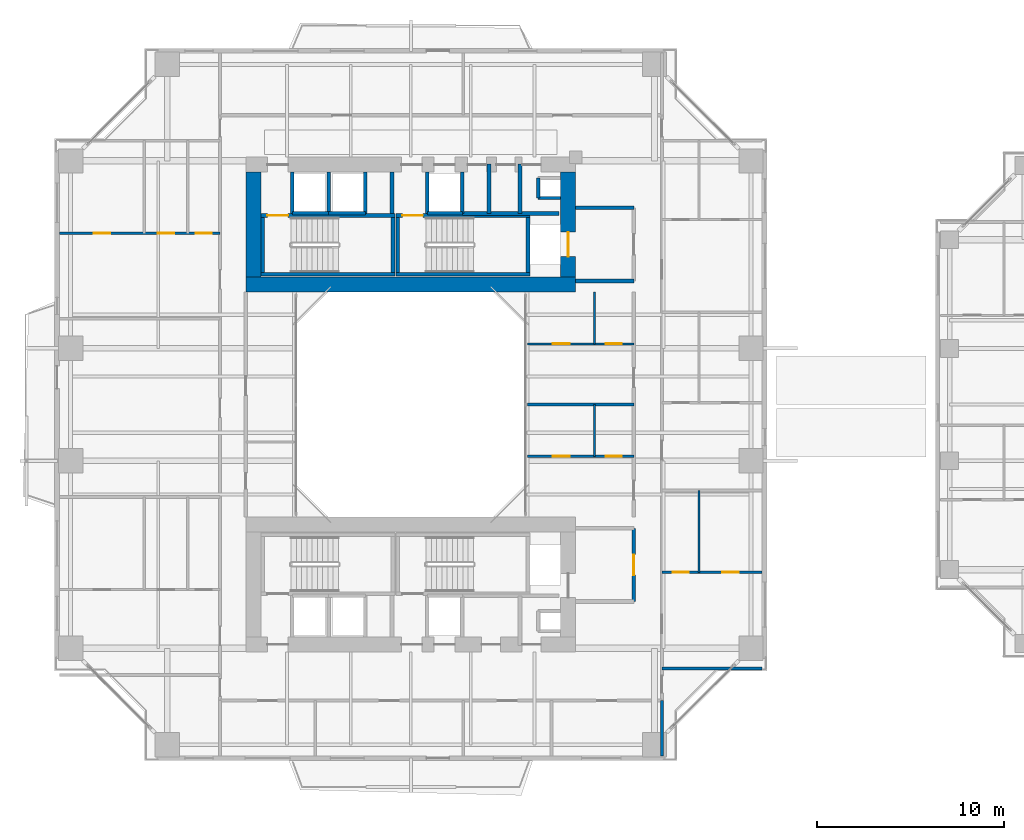
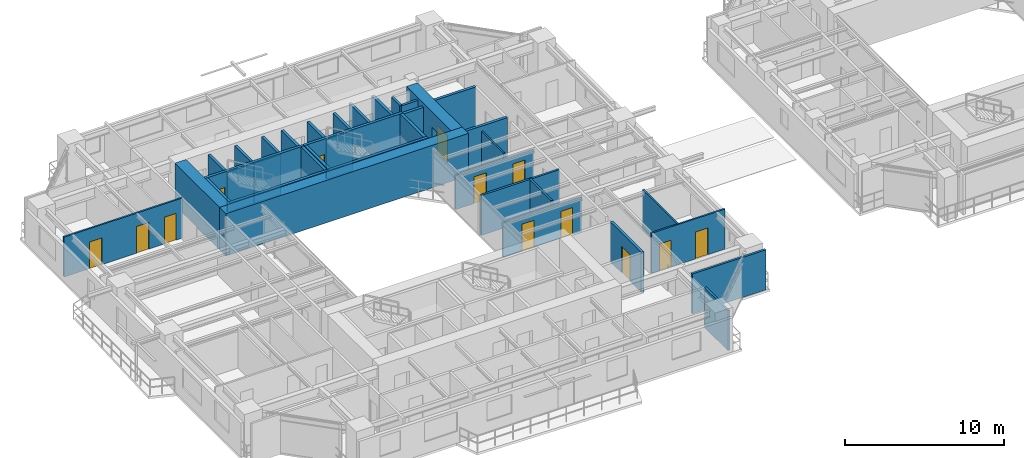
# One storey, part 13 of 23: 38 walls, 13 doors, 13 openings.
"""IFC4 building model written with IfcOpenShell, lengths in metres."""

from ifc_helpers import new_model, si_unit, direction, frame, frame_2d, origin, place, context, subcontext, project, spatial, rectangle, extrude, source, transform, mapped, material, layer, layer_set, type_object, element, fill, save


model = new_model("IFC4")

# Units and contexts
model_context = context("Model", 3, precision=1e-05, world=origin(), true_north=direction((0.0, 1.0)))
body_context = subcontext(model_context, "Body", "Model", "MODEL_VIEW")
ifc_project = project(units=[si_unit("LENGTHUNIT", "METRE"), si_unit("AREAUNIT", "SQUARE_METRE"), si_unit("VOLUMEUNIT", "CUBIC_METRE"), si_unit("PLANEANGLEUNIT", "RADIAN"), si_unit("MASSUNIT", "GRAM", prefix="KILO"), si_unit("THERMODYNAMICTEMPERATUREUNIT", "KELVIN"), si_unit("POWERUNIT", "WATT")], contexts=[model_context])

# Site, building, storey
site_placement = place(None, origin())
site = spatial("IfcSite", under=ifc_project, at=site_placement, CompositionType="ELEMENT")
building_placement = place(site_placement, origin())
building = spatial("IfcBuilding", under=site, at=building_placement, Name="Qiaomeng Ring Towers", CompositionType="ELEMENT")
storey_placement = place(building_placement, frame((0.0, 0.0, 50.25)))
storey = spatial("IfcBuildingStorey", under=building, at=storey_placement, Name="L13", CompositionType="ELEMENT", Elevation=50.25)

# Walls
ifc_material_1 = material(Name="Autoclaved aerated concrete block", Category="concrete")
ifc_layer_1 = layer(ifc_material_1, 0.199951171875, Name="Autoclaved aerated concrete block")
ifc_layer_set_1 = layer_set([ifc_layer_1], Name="Autoclaved aerated concrete block")
wall_type_1 = type_object("IfcWallType", Name="ARC-WL-PW1", PredefinedType="PARTITIONING", material=ifc_layer_set_1)
for number, where, z_axis, x_axis, name in (
    (1, (27.800048828125, 29.60009765625, 0.0), (0.0, 0.0, 1.0), (1.0, 0.0, 0.0), "L13 Interior Wall PW1"),
    (2, (27.800048828125, 33.5, 0.0), (0.0, 0.0, 1.0), (1.0, 0.0, 0.0), "L13 Interior Wall PW1"),
):
    element("IfcWall", number, at=place(storey_placement, frame(where, z_axis=z_axis, x_axis=x_axis)), inside=storey, type_object=wall_type_1, Name=name, PredefinedType="PARTITIONING", context=body_context, shape_type="SweptSolid", body=[
        extrude(rectangle(XDim=3.099853515625, YDim=0.199951171875, at=frame_2d((1.5498046875, 0.0))), origin(), (0.0, 0.0, 1.0), 3.070068359375),
    ])

# Wall, opening, door
wall_1_placement = place(storey_placement, frame((30.89990234375, 12.5, 0.0), z_axis=(0.0, 0.0, 1.0), x_axis=(0.0, 1.0, 0.0)))
wall_1 = element("IfcWall", 3, at=wall_1_placement, inside=storey, type_object=wall_type_1, Name="L13 Interior Wall PW1", PredefinedType="PARTITIONING", context=body_context, shape_type="SweptSolid", body=[
    extrude(rectangle(XDim=3.89990234375, YDim=0.199951171875, at=frame_2d((1.949951171875, 0.0))), origin(), (0.0, 0.0, 1.0), 3.070068359375),
])
opening_1_placement = place(wall_1_placement, frame((1.39990234375, 0.0, 0.0)))
opening_1 = element("IfcOpeningElement", 4, at=opening_1_placement, cuts=wall_1, Name="Opening FD3", PredefinedType="OPENING", context=body_context, shape_type="SweptSolid", body=[
    extrude(rectangle(XDim=1.10009765625, YDim=2.050048828125, at=frame_2d((0.550048828125, 1.02490234375))), frame((0.0, 0.10986328125, 0.0), z_axis=(0.0, -1.0, 0.0), x_axis=(1.0, 0.0, 0.0)), (0.0, 0.0, 1.0), 0.219970703125),
])
ifc_material_2 = material(Name="Galvanised steel", Category="steel")
door_type_1 = type_object("IfcDoorType", Name="ARC-DR-FD3", OperationType="NOTDEFINED", PredefinedType="DOOR", material=ifc_material_2)
shared_shape_1 = source(origin(), body_context, "Body", "SweptSolid", [
    extrude(rectangle(XDim=1.10009765625, YDim=2.050048828125, at=frame_2d((0.550048828125, 1.02490234375))), frame((0.0, 0.02490234375, 0.0), z_axis=(0.0, -1.0, 0.0), x_axis=(1.0, 0.0, 0.0)), (0.0, 0.0, 1.0), 0.050048828125),
])
door_1_placement = place(opening_1_placement, origin())
door_1 = element("IfcDoor", 5, at=door_1_placement, inside=storey, type_object=door_type_1, Name="L13 South FF Lobby Door", OperationType="SINGLE_SWING_LEFT", OverallHeight=2.050048828125, OverallWidth=1.10009765625, PredefinedType="DOOR", context=body_context, shape_type="MappedRepresentation", body=[
    mapped(shared_shape_1, transform((0.0, 0.0, 0.0), x_axis=(1.0, 0.0, 0.0), y_axis=(0.0, 1.0, 0.0), z_axis=(0.0, 0.0, 1.0), scale=1.0)),
])
fill(opening_1, door_1)

# Walls
for number, where, z_axis, x_axis, name in (
    (6, (12.679931640625, 33.18994140625, 0.0), (0.0, 0.0, 1.0), (0.0, 1.0, 0.0), "L13 Interior Wall PW1"),
    (7, (18.0, 33.18994140625, 0.0), (0.0, 0.0, 1.0), (0.0, 1.0, 0.0), "L13 Interior Wall PW1"),
    (8, (19.8798828125, 33.18994140625, 0.0), (0.0, 0.0, 1.0), (0.0, 1.0, 0.0), "L13 Interior Wall PW1"),
):
    element("IfcWall", number, at=place(storey_placement, frame(where, z_axis=z_axis, x_axis=x_axis)), inside=storey, type_object=wall_type_1, Name=name, PredefinedType="PARTITIONING", context=body_context, shape_type="SweptSolid", body=[
        extrude(rectangle(XDim=2.2099609375, YDim=0.199951171875, at=frame_2d((1.10498046875, 0.0))), origin(), (0.0, 0.0, 1.0), 3.070068359375),
    ])
wall_2_placement = place(storey_placement, frame((24.820068359375, 33.199951171875, 0.0), z_axis=(0.0, 0.0, 1.0), x_axis=(0.0, 1.0, 0.0)))
element("IfcWall", 9, at=wall_2_placement, inside=storey, type_object=wall_type_1, Name="L13 Interior Wall PW1", PredefinedType="PARTITIONING", context=body_context, shape_type="SweptSolid", body=[
    extrude(rectangle(XDim=2.650146484375, YDim=0.199951171875, at=frame_2d((1.3251953125, 0.0))), origin(), (0.0, 0.0, 1.0), 3.070068359375),
])
wall_3_placement = place(storey_placement, frame((21.75, 33.199951171875, 0.0), z_axis=(0.0, 0.0, 1.0), x_axis=(0.0, 1.0, 0.0)))
element("IfcWall", 10, at=wall_3_placement, inside=storey, type_object=wall_type_1, Name="L13 Interior Wall PW1", PredefinedType="PARTITIONING", context=body_context, shape_type="SweptSolid", body=[
    extrude(rectangle(XDim=2.199951171875, YDim=0.199951171875, at=frame_2d((1.10009765625, 0.0))), origin(), (0.0, 0.0, 1.0), 3.070068359375),
])
wall_4_placement = place(storey_placement, frame((23.169921875, 33.199951171875, 0.0), z_axis=(0.0, 0.0, 1.0), x_axis=(0.0, 1.0, 0.0)))
element("IfcWall", 11, at=wall_4_placement, inside=storey, type_object=wall_type_1, Name="L13 Interior Wall PW1", PredefinedType="PARTITIONING", context=body_context, shape_type="SweptSolid", body=[
    extrude(rectangle(XDim=2.650146484375, YDim=0.199951171875, at=frame_2d((1.3251953125, 0.0))), origin(), (0.0, 0.0, 1.0), 3.070068359375),
])
wall_5_placement = place(storey_placement, frame((21.75, 33.199951171875, 0.0), z_axis=(0.0, 0.0, 1.0), x_axis=(1.0, 0.0, 0.0)))
element("IfcWall", 12, at=wall_5_placement, inside=storey, type_object=wall_type_1, Name="L13 Interior Wall PW1", PredefinedType="PARTITIONING", context=body_context, shape_type="SweptSolid", body=[
    extrude(rectangle(XDim=5.169921875, YDim=0.199951171875, at=frame_2d((2.5849609375, 0.0))), origin(), (0.0, 0.0, 1.0), 3.070068359375),
])
ifc_material_3 = material(Name="Gypsum fireboard steel-stud partition", Category="steel")
ifc_layer_2 = layer(ifc_material_3, 0.14990234375, Name="Gypsum fireboard steel-stud partition")
ifc_layer_set_2 = layer_set([ifc_layer_2], Name="Gypsum fireboard steel-stud partition")
wall_type_2 = type_object("IfcWallType", Name="ARC-WL-PW3", PredefinedType="PARTITIONING", material=ifc_layer_set_2)
wall_6_placement = place(storey_placement, frame((32.39990234375, 4.25, 0.0), z_axis=(0.0, 0.0, 1.0), x_axis=(0.0, 1.0, 0.0)))
element("IfcWall", 13, at=wall_6_placement, inside=storey, type_object=wall_type_2, Name="L13 Interior Wall PW3", PredefinedType="PARTITIONING", context=body_context, shape_type="SweptSolid", body=[
    extrude(rectangle(XDim=2.9599609375, YDim=0.14990234375, at=frame_2d((1.47998046875, 0.0))), origin(), (0.0, 0.0, 1.0), 3.070068359375),
])
wall_7_placement = place(storey_placement, frame((32.39990234375, 8.919921875, 0.0), z_axis=(0.0, 0.0, 1.0), x_axis=(1.0, 0.0, 0.0)))
element("IfcWall", 14, at=wall_7_placement, inside=storey, type_object=wall_type_2, Name="L13 Interior Wall PW3", PredefinedType="PARTITIONING", context=body_context, shape_type="SweptSolid", body=[
    extrude(rectangle(XDim=5.35009765625, YDim=0.14990234375, at=frame_2d((2.675048828125, 0.0))), origin(), (0.0, 0.0, 1.0), 3.070068359375),
])
wall_8_placement = place(storey_placement, frame((25.219970703125, 23.0, 0.0), z_axis=(0.0, 0.0, 1.0), x_axis=(1.0, 0.0, 0.0)))
element("IfcWall", 15, at=wall_8_placement, inside=storey, type_object=wall_type_2, Name="L13 Interior Wall PW3", PredefinedType="PARTITIONING", context=body_context, shape_type="SweptSolid", body=[
    extrude(rectangle(XDim=5.679931640625, YDim=0.14990234375, at=frame_2d((2.83984375, 0.0))), origin(), (0.0, 0.0, 1.0), 3.070068359375),
])

# Wall, openings, doors
ifc_material_4 = material(Name="Moisture-resistant gypsum steel-stud partition", Category="steel")
ifc_layer_3 = layer(ifc_material_4, 0.1201171875, Name="Moisture-resistant gypsum steel-stud partition")
ifc_layer_set_3 = layer_set([ifc_layer_3], Name="Moisture-resistant gypsum steel-stud partition")
wall_type_3 = type_object("IfcWallType", Name="ARC-WL-PW4", PredefinedType="PLUMBINGWALL", material=ifc_layer_set_3)
wall_9_placement = place(storey_placement, frame((0.25, 32.139892578125, 0.0), z_axis=(0.0, 0.0, 1.0), x_axis=(1.0, 0.0, 0.0)))
wall_9 = element("IfcWall", 16, at=wall_9_placement, inside=storey, type_object=wall_type_3, Name="L13 Interior Wall PW4", PredefinedType="PLUMBINGWALL", context=body_context, shape_type="SweptSolid", body=[
    extrude(rectangle(XDim=8.570068359375, YDim=0.1201171875, at=frame_2d((4.28515625, 0.0))), origin(), (0.0, 0.0, 1.0), 3.070068359375),
])
opening_2_placement = place(wall_9_placement, frame((1.824951171875, 0.0, 0.0)))
opening_2 = element("IfcOpeningElement", 17, at=opening_2_placement, cuts=wall_9, Name="Opening ID1", PredefinedType="OPENING", context=body_context, shape_type="SweptSolid", body=[
    extrude(rectangle(XDim=0.89990234375, YDim=2.050048828125, at=frame_2d((0.449951171875, 1.02490234375))), frame((0.0, 0.070068359375, 0.0), z_axis=(0.0, -1.0, 0.0), x_axis=(1.0, 0.0, 0.0)), (0.0, 0.0, 1.0), 0.14013671875),
])
opening_3_placement = place(wall_9_placement, frame((5.239990234375, 0.0, 0.0)))
opening_3 = element("IfcOpeningElement", 18, at=opening_3_placement, cuts=wall_9, Name="Opening ID1", PredefinedType="OPENING", context=body_context, shape_type="SweptSolid", body=[
    extrude(rectangle(XDim=0.89990234375, YDim=2.050048828125, at=frame_2d((0.449951171875, 1.02490234375))), frame((0.0, 0.070068359375, 0.0), z_axis=(0.0, -1.0, 0.0), x_axis=(1.0, 0.0, 0.0)), (0.0, 0.0, 1.0), 0.14013671875),
])
opening_4_placement = place(wall_9_placement, frame((7.27490234375, 0.0, 0.0)))
opening_4 = element("IfcOpeningElement", 19, at=opening_4_placement, cuts=wall_9, Name="Opening ID2", PredefinedType="OPENING", context=body_context, shape_type="SweptSolid", body=[
    extrude(rectangle(XDim=0.85009765625, YDim=2.050048828125, at=frame_2d((0.425048828125, 1.02490234375))), frame((0.0, 0.070068359375, 0.0), z_axis=(0.0, -1.0, 0.0), x_axis=(1.0, 0.0, 0.0)), (0.0, 0.0, 1.0), 0.14013671875),
])
ifc_material_5 = material(Name="Moisture-resistant engineered timber", Category="wood")
door_type_2 = type_object("IfcDoorType", Name="ARC-DR-ID2", OperationType="NOTDEFINED", PredefinedType="DOOR", material=ifc_material_5)
shared_shape_2 = source(origin(), body_context, "Body", "SweptSolid", [
    extrude(rectangle(XDim=0.85009765625, YDim=2.050048828125, at=frame_2d((0.425048828125, 1.02490234375))), frame((0.0, 0.02490234375, 0.0), z_axis=(0.0, -1.0, 0.0), x_axis=(1.0, 0.0, 0.0)), (0.0, 0.0, 1.0), 0.050048828125),
])
door_2_placement = place(opening_4_placement, origin())
door_2 = element("IfcDoor", 20, at=door_2_placement, inside=storey, type_object=door_type_2, Name="L13 Door ID2", OperationType="SINGLE_SWING_RIGHT", OverallHeight=2.050048828125, OverallWidth=0.85009765625, PredefinedType="DOOR", context=body_context, shape_type="MappedRepresentation", body=[
    mapped(shared_shape_2, transform((0.0, 0.0, 0.0), x_axis=(1.0, 0.0, 0.0), y_axis=(0.0, 1.0, 0.0), z_axis=(0.0, 0.0, 1.0), scale=1.0)),
])
fill(opening_4, door_2)
ifc_material_6 = material(Name="Engineered oak timber", Category="wood")
door_type_3 = type_object("IfcDoorType", Name="ARC-DR-ID1", OperationType="NOTDEFINED", PredefinedType="DOOR", material=ifc_material_6)
shared_shape_3 = source(origin(), body_context, "Body", "SweptSolid", [
    extrude(rectangle(XDim=0.89990234375, YDim=2.050048828125, at=frame_2d((0.449951171875, 1.02490234375))), frame((0.0, 0.02490234375, 0.0), z_axis=(0.0, -1.0, 0.0), x_axis=(1.0, 0.0, 0.0)), (0.0, 0.0, 1.0), 0.050048828125),
])
door_3_placement = place(opening_2_placement, origin())
door_3 = element("IfcDoor", 21, at=door_3_placement, inside=storey, type_object=door_type_3, Name="L13 Door ID1", OperationType="SINGLE_SWING_RIGHT", OverallHeight=2.050048828125, OverallWidth=0.89990234375, PredefinedType="DOOR", context=body_context, shape_type="MappedRepresentation", body=[
    mapped(shared_shape_3, transform((0.0, 0.0, 0.0), x_axis=(1.0, 0.0, 0.0), y_axis=(0.0, 1.0, 0.0), z_axis=(0.0, 0.0, 1.0), scale=1.0)),
])
fill(opening_2, door_3)
door_4_placement = place(opening_3_placement, origin())
door_4 = element("IfcDoor", 22, at=door_4_placement, inside=storey, type_object=door_type_3, Name="L13 Door ID1", OperationType="SINGLE_SWING_LEFT", OverallHeight=2.050048828125, OverallWidth=0.89990234375, PredefinedType="DOOR", context=body_context, shape_type="MappedRepresentation", body=[
    mapped(shared_shape_3, transform((0.0, 0.0, 0.0), x_axis=(1.0, 0.0, 0.0), y_axis=(0.0, 1.0, 0.0), z_axis=(0.0, 0.0, 1.0), scale=1.0)),
])
fill(opening_3, door_4)

wall_10_placement = place(storey_placement, frame((32.39990234375, 14.050048828125, 0.0), z_axis=(0.0, 0.0, 1.0), x_axis=(1.0, 0.0, 0.0)))
wall_10 = element("IfcWall", 23, at=wall_10_placement, inside=storey, type_object=wall_type_3, Name="L13 Interior Wall PW4", PredefinedType="PLUMBINGWALL", context=body_context, shape_type="SweptSolid", body=[
    extrude(rectangle(XDim=5.35009765625, YDim=0.1201171875, at=frame_2d((2.675048828125, 0.0))), origin(), (0.0, 0.0, 1.0), 3.070068359375),
])
opening_5_placement = place(wall_10_placement, frame((0.574951171875, 0.0, 0.0)))
opening_5 = element("IfcOpeningElement", 24, at=opening_5_placement, cuts=wall_10, Name="Opening ID2", PredefinedType="OPENING", context=body_context, shape_type="SweptSolid", body=[
    extrude(rectangle(XDim=0.85009765625, YDim=2.050048828125, at=frame_2d((0.425048828125, 1.02490234375))), frame((0.0, 0.070068359375, 0.0), z_axis=(0.0, -1.0, 0.0), x_axis=(1.0, 0.0, 0.0)), (0.0, 0.0, 1.0), 0.14013671875),
])
opening_6_placement = place(wall_10_placement, frame((3.205078125, 0.0, 0.0)))
opening_6 = element("IfcOpeningElement", 25, at=opening_6_placement, cuts=wall_10, Name="Opening ID1", PredefinedType="OPENING", context=body_context, shape_type="SweptSolid", body=[
    extrude(rectangle(XDim=0.89990234375, YDim=2.050048828125, at=frame_2d((0.449951171875, 1.02490234375))), frame((0.0, 0.070068359375, 0.0), z_axis=(0.0, -1.0, 0.0), x_axis=(1.0, 0.0, 0.0)), (0.0, 0.0, 1.0), 0.14013671875),
])
door_5_placement = place(opening_5_placement, origin())
door_5 = element("IfcDoor", 26, at=door_5_placement, inside=storey, type_object=door_type_2, Name="L13 Door ID2", OperationType="SINGLE_SWING_RIGHT", OverallHeight=2.050048828125, OverallWidth=0.85009765625, PredefinedType="DOOR", context=body_context, shape_type="MappedRepresentation", body=[
    mapped(shared_shape_2, transform((0.0, 0.0, 0.0), x_axis=(1.0, 0.0, 0.0), y_axis=(0.0, 1.0, 0.0), z_axis=(0.0, 0.0, 1.0), scale=1.0)),
])
fill(opening_5, door_5)
door_6_placement = place(opening_6_placement, origin())
door_6 = element("IfcDoor", 27, at=door_6_placement, inside=storey, type_object=door_type_3, Name="L13 Door ID1", OperationType="SINGLE_SWING_LEFT", OverallHeight=2.050048828125, OverallWidth=0.89990234375, PredefinedType="DOOR", context=body_context, shape_type="MappedRepresentation", body=[
    mapped(shared_shape_3, transform((0.0, 0.0, 0.0), x_axis=(1.0, 0.0, 0.0), y_axis=(0.0, 1.0, 0.0), z_axis=(0.0, 0.0, 1.0), scale=1.0)),
])
fill(opening_6, door_6)

# Wall
wall_11_placement = place(storey_placement, frame((34.3798828125, 14.050048828125, 0.0), z_axis=(0.0, 0.0, 1.0), x_axis=(0.0, 1.0, 0.0)))
element("IfcWall", 28, at=wall_11_placement, inside=storey, type_object=wall_type_3, Name="L13 Interior Wall PW4", PredefinedType="PLUMBINGWALL", context=body_context, shape_type="SweptSolid", body=[
    extrude(rectangle(XDim=4.369873046875, YDim=0.1201171875, at=frame_2d((2.18505859375, 0.0))), origin(), (0.0, 0.0, 1.0), 3.070068359375),
])

# Wall, openings, doors
wall_12_placement = place(storey_placement, frame((25.219970703125, 20.239990234375, 0.0), z_axis=(0.0, 0.0, 1.0), x_axis=(1.0, 0.0, 0.0)))
wall_12 = element("IfcWall", 29, at=wall_12_placement, inside=storey, type_object=wall_type_3, Name="L13 Interior Wall PW4", PredefinedType="PLUMBINGWALL", context=body_context, shape_type="SweptSolid", body=[
    extrude(rectangle(XDim=5.679931640625, YDim=0.1201171875, at=frame_2d((2.83984375, 0.0))), origin(), (0.0, 0.0, 1.0), 2.625),
])
opening_7_placement = place(wall_12_placement, frame((1.35009765625, 0.0, 0.0)))
opening_7 = element("IfcOpeningElement", 30, at=opening_7_placement, cuts=wall_12, Name="Opening ID1", PredefinedType="OPENING", context=body_context, shape_type="SweptSolid", body=[
    extrude(rectangle(XDim=0.89990234375, YDim=2.050048828125, at=frame_2d((0.449951171875, 1.02490234375))), frame((0.0, 0.070068359375, 0.0), z_axis=(0.0, -1.0, 0.0), x_axis=(1.0, 0.0, 0.0)), (0.0, 0.0, 1.0), 0.14013671875),
])
opening_8_placement = place(wall_12_placement, frame((4.195068359375, 0.0, 0.0)))
opening_8 = element("IfcOpeningElement", 31, at=opening_8_placement, cuts=wall_12, Name="Opening ID2", PredefinedType="OPENING", context=body_context, shape_type="SweptSolid", body=[
    extrude(rectangle(XDim=0.85009765625, YDim=2.050048828125, at=frame_2d((0.425048828125, 1.02490234375))), frame((0.0, 0.070068359375, 0.0), z_axis=(0.0, -1.0, 0.0), x_axis=(1.0, 0.0, 0.0)), (0.0, 0.0, 1.0), 0.14013671875),
])
door_7_placement = place(opening_8_placement, origin())
door_7 = element("IfcDoor", 32, at=door_7_placement, inside=storey, type_object=door_type_2, Name="L13 Door ID2", OperationType="SINGLE_SWING_RIGHT", OverallHeight=2.050048828125, OverallWidth=0.85009765625, PredefinedType="DOOR", context=body_context, shape_type="MappedRepresentation", body=[
    mapped(shared_shape_2, transform((0.0, 0.0, 0.0), x_axis=(1.0, 0.0, 0.0), y_axis=(0.0, 1.0, 0.0), z_axis=(0.0, 0.0, 1.0), scale=1.0)),
])
fill(opening_8, door_7)
door_8_placement = place(opening_7_placement, origin())
door_8 = element("IfcDoor", 33, at=door_8_placement, inside=storey, type_object=door_type_3, Name="L13 Door ID1", OperationType="SINGLE_SWING_LEFT", OverallHeight=2.050048828125, OverallWidth=0.89990234375, PredefinedType="DOOR", context=body_context, shape_type="MappedRepresentation", body=[
    mapped(shared_shape_3, transform((0.0, 0.0, 0.0), x_axis=(1.0, 0.0, 0.0), y_axis=(0.0, 1.0, 0.0), z_axis=(0.0, 0.0, 1.0), scale=1.0)),
])
fill(opening_7, door_8)

# Wall
wall_13_placement = place(storey_placement, frame((28.800048828125, 20.239990234375, 0.0), z_axis=(0.0, 0.0, 1.0), x_axis=(0.0, 1.0, 0.0)))
element("IfcWall", 34, at=wall_13_placement, inside=storey, type_object=wall_type_3, Name="L13 Interior Wall PW4", PredefinedType="PLUMBINGWALL", context=body_context, shape_type="SweptSolid", body=[
    extrude(rectangle(XDim=2.760009765625, YDim=0.1201171875, at=frame_2d((1.3798828125, 0.0))), origin(), (0.0, 0.0, 1.0), 3.070068359375),
])

# Wall, openings, doors
wall_14_placement = place(storey_placement, frame((25.219970703125, 26.239990234375, 0.0), z_axis=(0.0, 0.0, 1.0), x_axis=(1.0, 0.0, 0.0)))
wall_14 = element("IfcWall", 35, at=wall_14_placement, inside=storey, type_object=wall_type_3, Name="L13 Interior Wall PW4", PredefinedType="PLUMBINGWALL", context=body_context, shape_type="SweptSolid", body=[
    extrude(rectangle(XDim=5.679931640625, YDim=0.1201171875, at=frame_2d((2.83984375, 0.0))), origin(), (0.0, 0.0, 1.0), 2.625),
])
opening_9_placement = place(wall_14_placement, frame((1.35009765625, 0.0, 0.0)))
opening_9 = element("IfcOpeningElement", 36, at=opening_9_placement, cuts=wall_14, Name="Opening ID1", PredefinedType="OPENING", context=body_context, shape_type="SweptSolid", body=[
    extrude(rectangle(XDim=0.89990234375, YDim=2.050048828125, at=frame_2d((0.449951171875, 1.02490234375))), frame((0.0, 0.070068359375, 0.0), z_axis=(0.0, -1.0, 0.0), x_axis=(1.0, 0.0, 0.0)), (0.0, 0.0, 1.0), 0.14013671875),
])
opening_10_placement = place(wall_14_placement, frame((4.195068359375, 0.0, 0.0)))
opening_10 = element("IfcOpeningElement", 37, at=opening_10_placement, cuts=wall_14, Name="Opening ID2", PredefinedType="OPENING", context=body_context, shape_type="SweptSolid", body=[
    extrude(rectangle(XDim=0.85009765625, YDim=2.050048828125, at=frame_2d((0.425048828125, 1.02490234375))), frame((0.0, 0.070068359375, 0.0), z_axis=(0.0, -1.0, 0.0), x_axis=(1.0, 0.0, 0.0)), (0.0, 0.0, 1.0), 0.14013671875),
])
door_9_placement = place(opening_10_placement, origin())
door_9 = element("IfcDoor", 38, at=door_9_placement, inside=storey, type_object=door_type_2, Name="L13 Door ID2", OperationType="SINGLE_SWING_RIGHT", OverallHeight=2.050048828125, OverallWidth=0.85009765625, PredefinedType="DOOR", context=body_context, shape_type="MappedRepresentation", body=[
    mapped(shared_shape_2, transform((0.0, 0.0, 0.0), x_axis=(1.0, 0.0, 0.0), y_axis=(0.0, 1.0, 0.0), z_axis=(0.0, 0.0, 1.0), scale=1.0)),
])
fill(opening_10, door_9)
door_10_placement = place(opening_9_placement, origin())
door_10 = element("IfcDoor", 39, at=door_10_placement, inside=storey, type_object=door_type_3, Name="L13 Door ID1", OperationType="SINGLE_SWING_LEFT", OverallHeight=2.050048828125, OverallWidth=0.89990234375, PredefinedType="DOOR", context=body_context, shape_type="MappedRepresentation", body=[
    mapped(shared_shape_3, transform((0.0, 0.0, 0.0), x_axis=(1.0, 0.0, 0.0), y_axis=(0.0, 1.0, 0.0), z_axis=(0.0, 0.0, 1.0), scale=1.0)),
])
fill(opening_9, door_10)

# Walls
wall_15_placement = place(storey_placement, frame((28.800048828125, 26.239990234375, 0.0), z_axis=(0.0, 0.0, 1.0), x_axis=(0.0, 1.0, 0.0)))
element("IfcWall", 40, at=wall_15_placement, inside=storey, type_object=wall_type_3, Name="L13 Interior Wall PW4", PredefinedType="PLUMBINGWALL", context=body_context, shape_type="SweptSolid", body=[
    extrude(rectangle(XDim=2.760009765625, YDim=0.1201171875, at=frame_2d((1.3798828125, 0.0))), origin(), (0.0, 0.0, 1.0), 3.070068359375),
])
ifc_material_7 = material(Name="Concrete C40", Category="concrete")
ifc_layer_4 = layer(ifc_material_7, 0.199951171875, Name="Concrete C40")
ifc_layer_set_4 = layer_set([ifc_layer_4], Name="Concrete C40")
wall_type_4 = type_object("IfcWallType", Name="STR-WL-STSHAFT", PredefinedType="SHEAR", material=ifc_layer_set_4)
wall_16_placement = place(storey_placement, frame((12.679931640625, 33.199951171875, 0.0), z_axis=(0.0, 0.0, 1.0), x_axis=(1.0, 0.0, 0.0)))
element("IfcWall", 41, at=wall_16_placement, inside=storey, type_object=wall_type_4, Name="L13 Lift LP5 Shaft Back Wall", PredefinedType="SHEAR", context=body_context, shape_type="SweptSolid", body=[
    extrude(rectangle(XDim=1.940185546875, YDim=0.179931640625, at=frame_2d((0.97021484375, 0.0))), origin(), (0.0, 0.0, 1.0), 3.070068359375),
])
wall_17_placement = place(storey_placement, frame((14.6201171875, 33.199951171875, 0.0), z_axis=(0.0, 0.0, 1.0), x_axis=(0.0, 1.0, 0.0)))
element("IfcWall", 42, at=wall_17_placement, inside=storey, type_object=wall_type_4, Name="L13 Lift LP5-LP3 Shaft Divider Wall", PredefinedType="SHEAR", context=body_context, shape_type="SweptSolid", body=[
    extrude(rectangle(XDim=2.199951171875, YDim=0.179931640625, at=frame_2d((1.10009765625, 0.0))), origin(), (0.0, 0.0, 1.0), 3.070068359375),
])
wall_18_placement = place(storey_placement, frame((25.800048828125, 34.02001953125, 0.0), z_axis=(0.0, 0.0, 1.0), x_axis=(0.0, 1.0, 0.0)))
element("IfcWall", 43, at=wall_18_placement, inside=storey, type_object=wall_type_4, Name="L13 Riser RSR1 West Shaft Wall N", PredefinedType="SHEAR", context=body_context, shape_type="SweptSolid", body=[
    extrude(rectangle(XDim=1.06005859375, YDim=0.179931640625, at=frame_2d((0.530029296875, 0.0))), origin(), (0.0, 0.0, 1.0), 3.070068359375),
])
wall_19_placement = place(storey_placement, frame((25.800048828125, 34.02001953125, 0.0), z_axis=(0.0, 0.0, 1.0), x_axis=(1.0, 0.0, 0.0)))
element("IfcWall", 44, at=wall_19_placement, inside=storey, type_object=wall_type_4, Name="L13 Riser RSR1 South Shaft Wall N", PredefinedType="SHEAR", context=body_context, shape_type="SweptSolid", body=[
    extrude(rectangle(XDim=1.199951171875, YDim=0.179931640625, at=frame_2d((0.60009765625, 0.0))), origin(), (0.0, 0.0, 1.0), 3.070068359375),
])
wall_20_placement = place(storey_placement, frame((14.6201171875, 33.199951171875, 0.0), z_axis=(0.0, 0.0, 1.0), x_axis=(1.0, 0.0, 0.0)))
element("IfcWall", 45, at=wall_20_placement, inside=storey, type_object=wall_type_4, Name="L13 Lift LP3 Shaft Back Wall", PredefinedType="SHEAR", context=body_context, shape_type="SweptSolid", body=[
    extrude(rectangle(XDim=1.9599609375, YDim=0.179931640625, at=frame_2d((0.97998046875, 0.0))), origin(), (0.0, 0.0, 1.0), 3.070068359375),
])
wall_21_placement = place(storey_placement, frame((16.580078125, 33.199951171875, 0.0), z_axis=(0.0, 0.0, 1.0), x_axis=(0.0, 1.0, 0.0)))
element("IfcWall", 46, at=wall_21_placement, inside=storey, type_object=wall_type_4, Name="L13 Lift LP3 East Shaft Wall", PredefinedType="SHEAR", context=body_context, shape_type="SweptSolid", body=[
    extrude(rectangle(XDim=2.199951171875, YDim=0.179931640625, at=frame_2d((1.10009765625, 0.0))), origin(), (0.0, 0.0, 1.0), 3.070068359375),
])
wall_22_placement = place(storey_placement, frame((19.8798828125, 33.199951171875, 0.0), z_axis=(0.0, 0.0, 1.0), x_axis=(1.0, 0.0, 0.0)))
element("IfcWall", 47, at=wall_22_placement, inside=storey, type_object=wall_type_4, Name="L13 Lift LP1 Shaft Back Wall", PredefinedType="SHEAR", context=body_context, shape_type="SweptSolid", body=[
    extrude(rectangle(XDim=1.8701171875, YDim=0.179931640625, at=frame_2d((0.93505859375, 0.0))), origin(), (0.0, 0.0, 1.0), 3.070068359375),
])
wall_23_placement = place(storey_placement, frame((11.0, 29.949951171875, 0.0), z_axis=(0.0, 0.0, 1.0), x_axis=(1.0, 0.0, 0.0)))
element("IfcWall", 48, at=wall_23_placement, inside=storey, type_object=wall_type_4, Name="L13 Stair ST1 South Shaft Shear Wall", PredefinedType="SHEAR", context=body_context, shape_type="SweptSolid", body=[
    extrude(rectangle(XDim=7.14990234375, YDim=0.199951171875, at=frame_2d((3.574951171875, 0.0))), origin(), (0.0, 0.0, 1.0), 3.25),
])

# Wall, opening, door
wall_24_placement = place(storey_placement, frame((11.0, 33.090087890625, 0.0), z_axis=(0.0, 0.0, 1.0), x_axis=(1.0, 0.0, 0.0)))
wall_24 = element("IfcWall", 49, at=wall_24_placement, inside=storey, type_object=wall_type_4, Name="L13 Stair ST1 North Shaft Shear Wall", PredefinedType="SHEAR", context=body_context, shape_type="SweptSolid", body=[
    extrude(rectangle(XDim=7.14990234375, YDim=0.199951171875, at=frame_2d((3.574951171875, 0.0))), origin(), (0.0, 0.0, 1.0), 3.25),
])
opening_11_placement = place(wall_24_placement, frame((0.35009765625, 0.0, 0.0)))
opening_11 = element("IfcOpeningElement", 50, at=opening_11_placement, cuts=wall_24, Name="Opening FD3", PredefinedType="OPENING", context=body_context, shape_type="SweptSolid", body=[
    extrude(rectangle(XDim=1.10009765625, YDim=2.050048828125, at=frame_2d((0.550048828125, 1.02490234375))), frame((0.0, 0.10986328125, 0.0), z_axis=(0.0, -1.0, 0.0), x_axis=(1.0, 0.0, 0.0)), (0.0, 0.0, 1.0), 0.219970703125),
])
door_11_placement = place(opening_11_placement, origin())
door_11 = element("IfcDoor", 51, at=door_11_placement, inside=storey, type_object=door_type_1, Name="L13 Stair ST1 Exit Door", OperationType="SINGLE_SWING_LEFT", OverallHeight=2.050048828125, OverallWidth=1.10009765625, PredefinedType="DOOR", context=body_context, shape_type="MappedRepresentation", body=[
    mapped(shared_shape_1, transform((0.0, 0.0, 0.0), x_axis=(1.0, 0.0, 0.0), y_axis=(0.0, 1.0, 0.0), z_axis=(0.0, 0.0, 1.0), scale=1.0)),
])
fill(opening_11, door_11)

# Walls
for number, where, z_axis, x_axis, name in (
    (52, (11.10009765625, 30.050048828125, 0.0), (0.0, 0.0, 1.0), (0.0, 1.0, 0.0), "L13 Stair ST1 West Shaft Shear Wall"),
    (53, (18.050048828125, 30.050048828125, 0.0), (0.0, 0.0, 1.0), (0.0, 1.0, 0.0), "L13 Stair ST1 East Shaft Shear Wall"),
):
    element("IfcWall", number, at=place(storey_placement, frame(where, z_axis=z_axis, x_axis=x_axis)), inside=storey, type_object=wall_type_4, Name=name, PredefinedType="SHEAR", context=body_context, shape_type="SweptSolid", body=[
        extrude(rectangle(XDim=2.93994140625, YDim=0.199951171875, at=frame_2d((1.469970703125, 0.0))), origin(), (0.0, 0.0, 1.0), 3.25),
    ])
wall_25_placement = place(storey_placement, frame((18.199951171875, 29.949951171875, 0.0), z_axis=(0.0, 0.0, 1.0), x_axis=(1.0, 0.0, 0.0)))
element("IfcWall", 54, at=wall_25_placement, inside=storey, type_object=wall_type_4, Name="L13 Stair ST2 South Shaft Shear Wall", PredefinedType="SHEAR", context=body_context, shape_type="SweptSolid", body=[
    extrude(rectangle(XDim=7.150146484375, YDim=0.199951171875, at=frame_2d((3.5751953125, 0.0))), origin(), (0.0, 0.0, 1.0), 3.25),
])

# Wall, opening, door
wall_26_placement = place(storey_placement, frame((18.199951171875, 33.090087890625, 0.0), z_axis=(0.0, 0.0, 1.0), x_axis=(1.0, 0.0, 0.0)))
wall_26 = element("IfcWall", 55, at=wall_26_placement, inside=storey, type_object=wall_type_4, Name="L13 Stair ST2 North Shaft Shear Wall", PredefinedType="SHEAR", context=body_context, shape_type="SweptSolid", body=[
    extrude(rectangle(XDim=7.150146484375, YDim=0.199951171875, at=frame_2d((3.5751953125, 0.0))), origin(), (0.0, 0.0, 1.0), 3.25),
])
opening_12_placement = place(wall_26_placement, frame((0.35009765625, 0.0, 0.0)))
opening_12 = element("IfcOpeningElement", 56, at=opening_12_placement, cuts=wall_26, Name="Opening FD3", PredefinedType="OPENING", context=body_context, shape_type="SweptSolid", body=[
    extrude(rectangle(XDim=1.10009765625, YDim=2.050048828125, at=frame_2d((0.550048828125, 1.02490234375))), frame((0.0, 0.10986328125, 0.0), z_axis=(0.0, -1.0, 0.0), x_axis=(1.0, 0.0, 0.0)), (0.0, 0.0, 1.0), 0.219970703125),
])
door_12_placement = place(opening_12_placement, origin())
door_12 = element("IfcDoor", 57, at=door_12_placement, inside=storey, type_object=door_type_1, Name="L13 Stair ST2 Exit Door", OperationType="SINGLE_SWING_LEFT", OverallHeight=2.050048828125, OverallWidth=1.10009765625, PredefinedType="DOOR", context=body_context, shape_type="MappedRepresentation", body=[
    mapped(shared_shape_1, transform((0.0, 0.0, 0.0), x_axis=(1.0, 0.0, 0.0), y_axis=(0.0, 1.0, 0.0), z_axis=(0.0, 0.0, 1.0), scale=1.0)),
])
fill(opening_12, door_12)

# Walls
for number, where, z_axis, x_axis, name in (
    (58, (18.300048828125, 30.050048828125, 0.0), (0.0, 0.0, 1.0), (0.0, 1.0, 0.0), "L13 Stair ST2 West Shaft Shear Wall"),
    (59, (25.25, 30.050048828125, 0.0), (0.0, 0.0, 1.0), (0.0, 1.0, 0.0), "L13 Stair ST2 East Shaft Shear Wall"),
):
    element("IfcWall", number, at=place(storey_placement, frame(where, z_axis=z_axis, x_axis=x_axis)), inside=storey, type_object=wall_type_4, Name=name, PredefinedType="SHEAR", context=body_context, shape_type="SweptSolid", body=[
        extrude(rectangle(XDim=2.93994140625, YDim=0.199951171875, at=frame_2d((1.469970703125, 0.0))), origin(), (0.0, 0.0, 1.0), 3.25),
    ])
ifc_material_8 = material(Name="Concrete C60", Category="concrete")
ifc_layer_5 = layer(ifc_material_8, 0.800048828125, Name="Concrete C60")
ifc_layer_set_5 = layer_set([ifc_layer_5], Name="Concrete C60")
wall_type_5 = type_object("IfcWallType", Name="STR-WL-SW1", PredefinedType="SHEAR", material=ifc_layer_set_5)
wall_27_placement = place(storey_placement, frame((10.199951171875, 29.39990234375, 0.0), z_axis=(0.0, 0.0, 1.0), x_axis=(1.0, 0.0, 0.0)))
element("IfcWall", 60, at=wall_27_placement, inside=storey, type_object=wall_type_5, Name="L13 T1NC south core shear wall", PredefinedType="SHEAR", context=body_context, shape_type="SweptSolid", body=[
    extrude(rectangle(XDim=17.60009765625, YDim=0.800048828125, at=frame_2d((8.800048828125, 0.0))), origin(), (0.0, 0.0, 1.0), 3.25),
])
wall_28_placement = place(storey_placement, frame((10.60009765625, 29.800048828125, 0.0), z_axis=(0.0, 0.0, 1.0), x_axis=(0.0, 1.0, 0.0)))
element("IfcWall", 61, at=wall_28_placement, inside=storey, type_object=wall_type_5, Name="L13 T1NC west core shear wall", PredefinedType="SHEAR", context=body_context, shape_type="SweptSolid", body=[
    extrude(rectangle(XDim=5.599853515625, YDim=0.800048828125, at=frame_2d((2.7998046875, 0.0))), origin(), (0.0, 0.0, 1.0), 3.25),
])

# Wall, opening, door
wall_29_placement = place(storey_placement, frame((27.39990234375, 29.800048828125, 0.0), z_axis=(0.0, 0.0, 1.0), x_axis=(0.0, 1.0, 0.0)))
wall_29 = element("IfcWall", 62, at=wall_29_placement, inside=storey, type_object=wall_type_5, Name="L13 T1NC east core shear wall", PredefinedType="SHEAR", context=body_context, shape_type="SweptSolid", body=[
    extrude(rectangle(XDim=5.599853515625, YDim=0.800048828125, at=frame_2d((2.7998046875, 0.0))), origin(), (0.0, 0.0, 1.0), 3.25),
])
opening_13_placement = place(wall_29_placement, frame((1.10009765625, 0.0, 0.0)))
opening_13 = element("IfcOpeningElement", 63, at=opening_13_placement, cuts=wall_29, Name="Opening LD2", PredefinedType="OPENING", context=body_context, shape_type="SweptSolid", body=[
    extrude(rectangle(XDim=1.300048828125, YDim=2.050048828125, at=frame_2d((0.64990234375, 1.02490234375))), frame((0.0, 0.409912109375, 0.0), z_axis=(0.0, -1.0, 0.0), x_axis=(1.0, 0.0, 0.0)), (0.0, 0.0, 1.0), 0.820068359375),
])
ifc_material_9 = material(Name="Stainless steel 316", Category="steel")
door_type_4 = type_object("IfcDoorType", Name="ARC-DR-LD2", OperationType="NOTDEFINED", PredefinedType="DOOR", material=ifc_material_9)
shared_shape_4 = source(origin(), body_context, "Body", "SweptSolid", [
    extrude(rectangle(XDim=1.300048828125, YDim=2.050048828125, at=frame_2d((0.64990234375, 1.02490234375))), frame((0.0, 0.02490234375, 0.0), z_axis=(0.0, -1.0, 0.0), x_axis=(1.0, 0.0, 0.0)), (0.0, 0.0, 1.0), 0.050048828125),
])
door_13_placement = place(opening_13_placement, origin())
door_13 = element("IfcDoor", 64, at=door_13_placement, inside=storey, type_object=door_type_4, Name="L13 Firefighting Lift FL1 Landing Door", OperationType="SLIDING_TO_LEFT", OverallHeight=2.050048828125, OverallWidth=1.300048828125, PredefinedType="DOOR", context=body_context, shape_type="MappedRepresentation", body=[
    mapped(shared_shape_4, transform((0.0, 0.0, 0.0), x_axis=(1.0, 0.0, 0.0), y_axis=(0.0, 1.0, 0.0), z_axis=(0.0, 0.0, 1.0), scale=1.0)),
])
fill(opening_13, door_13)

save(model, "model.ifc")
